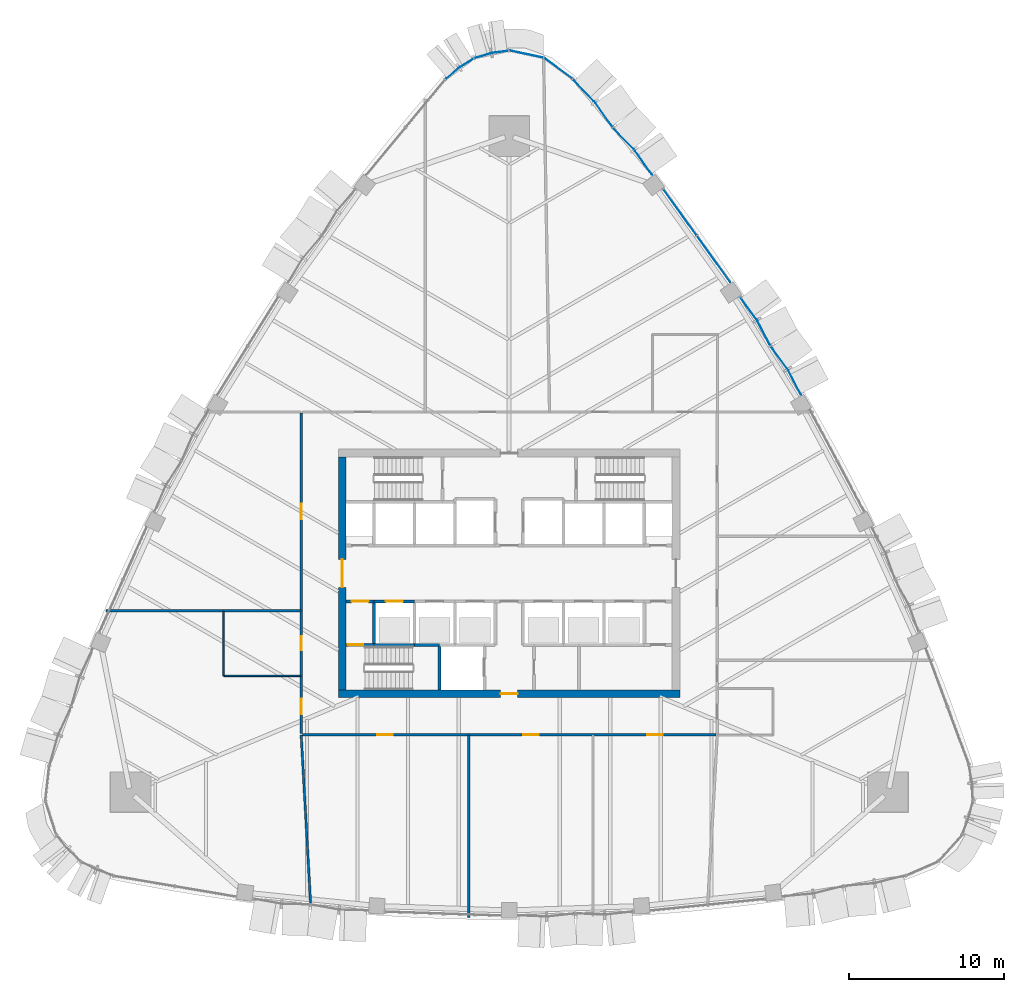
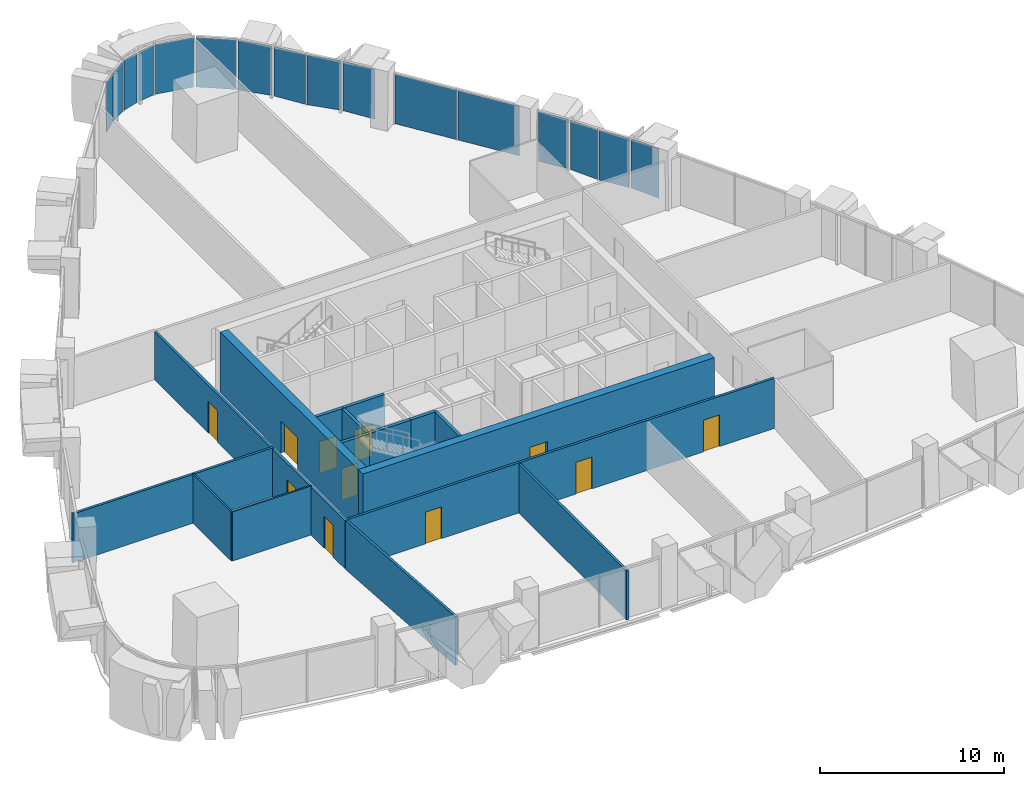
# One storey, part 10 of 17: 16 plates, 16 walls, 11 doors, 11 openings, 7 elements without a shape of their own.
"""IFC4 building model written with IfcOpenShell, lengths in metres."""

from ifc_helpers import new_model, si_unit, direction, frame, frame_2d, origin, origin_2d, place, context, subcontext, project, spatial, polyline, rectangle, outline, extrude, material, layer, layer_set, type_object, element, fill, aggregate, save


model = new_model("IFC4")

# Units and contexts
model_context = context("Model", 3, precision=1e-05, world=origin(), true_north=direction((0.0, 1.0)))
body_context = subcontext(model_context, "Body", "Model", "MODEL_VIEW")
ifc_project = project(units=[si_unit("LENGTHUNIT", "METRE"), si_unit("AREAUNIT", "SQUARE_METRE"), si_unit("VOLUMEUNIT", "CUBIC_METRE"), si_unit("PLANEANGLEUNIT", "RADIAN"), si_unit("MASSUNIT", "GRAM", prefix="KILO")], contexts=[model_context])

# Site, building, storey
site_placement = place(None, origin())
site = spatial("IfcSite", under=ifc_project, at=site_placement, CompositionType="ELEMENT")
building_placement = place(site_placement, origin())
building = spatial("IfcBuilding", under=site, at=building_placement, Name="Sierra Prisma Convention Tower", CompositionType="ELEMENT")
storey_placement = place(building_placement, frame((0.0, 0.0, 149.800048828125)))
storey = spatial("IfcBuildingStorey", under=building, at=storey_placement, Name="L32", CompositionType="ELEMENT", Elevation=149.800048828125)

# Curtain wall, plates
ifc_material_1 = material(Name="Aluminium and glass curtain wall", Category="aluminium")
ifc_layer_1 = layer(ifc_material_1, 0.179931640625)
ifc_layer_set_1 = layer_set([ifc_layer_1], Name="CW-1 Plain shaft curtain wall")
curtain_wall_type_1 = type_object("IfcCurtainWallType", Name="CW-1 Plain shaft curtain wall", PredefinedType="NOTDEFINED", material=ifc_layer_set_1)
curtain_wall_1_placement = place(storey_placement, origin())
curtain_wall_1 = element("IfcCurtainWall", 1, at=curtain_wall_1_placement, inside=storey, type_object=curtain_wall_type_1, Name="CW-1 NE5 L32", PredefinedType="NOTDEFINED")
ifc_material_2 = material(Name="Tinted glass bronze-grey IGU", Category="glass")
ifc_layer_2 = layer(ifc_material_2, 0.028076171875)
ifc_layer_set_2 = layer_set([ifc_layer_2], Name="CW-1 glass panel")
plate_type_1 = type_object("IfcPlateType", Name="CW-1 glass panel", PredefinedType="CURTAIN_PANEL", material=ifc_layer_set_2)
plate_1_placement = place(storey_placement, frame((13.176025390625, 20.24365234375, 0.0), z_axis=(0.0, 0.0, 1.0), x_axis=(-0.584583575566, 0.811333496891, 0.0)))
plate_1 = element("IfcPlate", 2, at=plate_1_placement, type_object=plate_type_1, Name="CW-1 panel NE5.1", PredefinedType="CURTAIN_PANEL", context=body_context, shape_type="SweptSolid", body=[
    extrude(rectangle(XDim=3.655029296875, YDim=0.028076171875, at=origin_2d()), origin(), (0.0, 0.0, 1.0), 3.280029296875),
])
plate_2_placement = place(storey_placement, frame((10.99853515625, 23.265869140625, 0.0), z_axis=(0.0, 0.0, 1.0), x_axis=(-0.584583575566, 0.811333496891, 0.0)))
plate_2 = element("IfcPlate", 3, at=plate_2_placement, type_object=plate_type_1, Name="CW-1 panel NE5.2", PredefinedType="CURTAIN_PANEL", context=body_context, shape_type="SweptSolid", body=[
    extrude(rectangle(XDim=3.655029296875, YDim=0.028076171875, at=origin_2d()), origin(), (0.0, 0.0, 1.0), 3.280029296875),
])
aggregate(curtain_wall_1, [plate_1, plate_2])

# Curtain wall, plate
curtain_wall_2_placement = place(storey_placement, origin())
curtain_wall_2 = element("IfcCurtainWall", 4, at=curtain_wall_2_placement, inside=storey, type_object=curtain_wall_type_1, Name="CW-1 N1 L32", PredefinedType="NOTDEFINED")
plate_3_placement = place(storey_placement, frame((3.182373046875, 32.52490234375, 0.0), z_axis=(0.0, 0.0, 1.0), x_axis=(-0.805518562555, 0.592570540425, 0.0)))
plate_3 = element("IfcPlate", 5, at=plate_3_placement, type_object=plate_type_1, Name="CW-1 panel N1.1", PredefinedType="CURTAIN_PANEL", context=body_context, shape_type="SweptSolid", body=[
    extrude(rectangle(XDim=2.165283203125, YDim=0.028076171875, at=origin_2d()), origin(), (0.0, 0.0, 1.0), 3.280029296875),
])
aggregate(curtain_wall_2, [plate_3])

curtain_wall_3_placement = place(storey_placement, origin())
curtain_wall_3 = element("IfcCurtainWall", 6, at=curtain_wall_3_placement, inside=storey, type_object=curtain_wall_type_1, Name="CW-1 N2 L32", PredefinedType="NOTDEFINED")
plate_4_placement = place(storey_placement, frame((1.126953125, 33.44970703125, 0.0), z_axis=(0.0, 0.0, 1.0), x_axis=(-0.977734876009, 0.209844018823, 0.0)))
plate_4 = element("IfcPlate", 7, at=plate_4_placement, type_object=plate_type_1, Name="CW-1 panel N2.1", PredefinedType="CURTAIN_PANEL", context=body_context, shape_type="SweptSolid", body=[
    extrude(rectangle(XDim=2.165283203125, YDim=0.028076171875, at=origin_2d()), origin(), (0.0, 0.0, 1.0), 3.280029296875),
])
aggregate(curtain_wall_3, [plate_4])

# Curtain wall, plates
ifc_material_3 = material(Name="Aluminium and glass curtain wall", Category="aluminium")
ifc_layer_3 = layer(ifc_material_3, 0.179931640625)
ifc_layer_set_3 = layer_set([ifc_layer_3], Name="CW-2 Faceted crystal curtain wall")
curtain_wall_type_2 = type_object("IfcCurtainWallType", Name="CW-2 Faceted crystal curtain wall", PredefinedType="NOTDEFINED", material=ifc_layer_set_3)
curtain_wall_4_placement = place(storey_placement, origin())
curtain_wall_4 = element("IfcCurtainWall", 8, at=curtain_wall_4_placement, inside=storey, type_object=curtain_wall_type_2, Name="CW-2 NE4 L32", PredefinedType="NOTDEFINED")
ifc_material_4 = material(Name="Tinted glass bronze-grey IGU", Category="glass")
ifc_layer_4 = layer(ifc_material_4, 0.028076171875)
ifc_layer_set_4 = layer_set([ifc_layer_4], Name="CW-2 crystal pane")
plate_type_2 = type_object("IfcPlateType", Name="CW-2 crystal pane", PredefinedType="CURTAIN_PANEL", material=ifc_layer_set_4)
plate_5_placement = place(storey_placement, frame((18.804443359375, 11.514404296875, 0.0), z_axis=(0.887590115263, 0.460634114333, 0.0), x_axis=(-0.460634114333, 0.887590115263, 0.0)))
plate_5 = element("IfcPlate", 9, at=plate_5_placement, type_object=plate_type_2, Name="CW-2 pane NE4.1.1", PredefinedType="CURTAIN_PANEL", context=body_context, shape_type="SweptSolid", body=[
    extrude(outline(polyline([(0.0, 0.0), (1.7760630594197555, 0.0), (1.7760630594197555, 3.280029296875), (0.0, 3.280029296875), (0.0, 0.0)])), origin(), (0.0, 0.0, -1.0), 0.028076171875),
])
plate_6_placement = place(storey_placement, frame((16.863525390625, 14.629638671875, 0.0), z_axis=(0.804644451332, 0.593756942646, 0.0), x_axis=(0.593756942646, -0.804644451332, 0.0)))
plate_6 = element("IfcPlate", 10, at=plate_6_placement, type_object=plate_type_2, Name="CW-2 pane NE4.1.2", PredefinedType="CURTAIN_PANEL", context=body_context, shape_type="SweptSolid", body=[
    extrude(outline(polyline([(0.0, 0.0), (1.775883840072109, 0.0), (1.775883840072109, -3.280029296875), (0.0, -3.280029296875), (0.0, 0.0)])), origin(), (0.0, 0.0, -1.0), 0.028076171875),
])
plate_7_placement = place(storey_placement, frame((16.826416015625, 14.689208984375, 0.0), z_axis=(0.887617153404, 0.460582011137, 0.0), x_axis=(-0.460582011137, 0.887617153404, 0.0)))
plate_7 = element("IfcPlate", 11, at=plate_7_placement, type_object=plate_type_2, Name="CW-2 pane NE4.2.1", PredefinedType="CURTAIN_PANEL", context=body_context, shape_type="SweptSolid", body=[
    extrude(outline(polyline([(0.0, 0.0), (1.7757339061731172, 0.0), (1.7757339061731172, 3.280029296875), (0.0, 3.280029296875), (0.0, 0.0)])), origin(), (0.0, 0.0, -1.0), 0.028076171875),
])
plate_8_placement = place(storey_placement, frame((14.885498046875, 17.80419921875, 0.0), z_axis=(0.804595976651, 0.593822628701, 0.0), x_axis=(0.593822628701, -0.804595976651, 0.0)))
plate_8 = element("IfcPlate", 12, at=plate_8_placement, type_object=plate_type_2, Name="CW-2 pane NE4.2.2", PredefinedType="CURTAIN_PANEL", context=body_context, shape_type="SweptSolid", body=[
    extrude(outline(polyline([(0.0, 0.0), (1.7756873995898501, 0.0), (1.7756873995898501, -3.280029296875), (0.0, -3.280029296875), (0.0, 0.0)])), origin(), (0.0, 0.0, -1.0), 0.028076171875),
])
aggregate(curtain_wall_4, [plate_5, plate_6, plate_7, plate_8])

curtain_wall_5_placement = place(storey_placement, origin())
curtain_wall_5 = element("IfcCurtainWall", 13, at=curtain_wall_5_placement, inside=storey, type_object=curtain_wall_type_2, Name="CW-2 NE6 L32", PredefinedType="NOTDEFINED")
plate_9_placement = place(storey_placement, frame((9.208251953125, 25.68505859375, 0.0), z_axis=(0.817965059935, 0.575267903437, 0.0), x_axis=(-0.575267903437, 0.817965059935, 0.0)))
plate_9 = element("IfcPlate", 14, at=plate_9_placement, type_object=plate_type_2, Name="CW-2 pane NE6.1.1", PredefinedType="CURTAIN_PANEL", context=body_context, shape_type="SweptSolid", body=[
    extrude(outline(polyline([(0.0, 0.0), (1.9042588293725504, 0.0), (1.9042588293725504, 3.280029296875), (0.0, 3.280029296875), (0.0, 0.0)])), origin(), (0.0, 0.0, -1.0), 0.028076171875),
])
plate_10_placement = place(storey_placement, frame((6.704345703125, 28.70947265625, 0.0), z_axis=(0.71785767507, 0.6961898867, 0.0), x_axis=(0.6961898867, -0.71785767507, 0.0)))
plate_10 = element("IfcPlate", 15, at=plate_10_placement, type_object=plate_type_2, Name="CW-2 pane NE6.1.2", PredefinedType="CURTAIN_PANEL", context=body_context, shape_type="SweptSolid", body=[
    extrude(outline(polyline([(0.0, 0.0), (1.9041982928459222, 0.0), (1.9041982928459222, -3.280029296875), (0.0, -3.280029296875), (0.0, 0.0)])), origin(), (0.0, 0.0, -1.0), 0.028076171875),
])
plate_11_placement = place(storey_placement, frame((6.65966796875, 28.763427734375, 0.0), z_axis=(0.817904731882, 0.575353673462, 0.0), x_axis=(-0.575353673462, 0.817904731882, 0.0)))
plate_11 = element("IfcPlate", 16, at=plate_11_placement, type_object=plate_type_2, Name="CW-2 pane NE6.2.1", PredefinedType="CURTAIN_PANEL", context=body_context, shape_type="SweptSolid", body=[
    extrude(outline(polyline([(0.0, 0.0), (1.904399286108398, 0.0), (1.904399286108398, 3.280029296875), (0.0, 3.280029296875), (0.0, 0.0)])), origin(), (0.0, 0.0, -1.0), 0.028076171875),
])
plate_12_placement = place(storey_placement, frame((4.155517578125, 31.787841796875, 0.0), z_axis=(0.717793601964, 0.696255947895, 0.0), x_axis=(0.696255947895, -0.717793601964, 0.0)))
plate_12 = element("IfcPlate", 17, at=plate_12_placement, type_object=plate_type_2, Name="CW-2 pane NE6.2.2", PredefinedType="CURTAIN_PANEL", context=body_context, shape_type="SweptSolid", body=[
    extrude(outline(polyline([(0.0, 0.0), (1.904368269144451, 0.0), (1.904368269144451, -3.280029296875001), (0.0, -3.280029296875001), (0.0, 0.0)])), origin(), (0.0, 0.0, -1.0), 0.028076171875),
])
aggregate(curtain_wall_5, [plate_9, plate_10, plate_11, plate_12])

curtain_wall_6_placement = place(storey_placement, origin())
curtain_wall_6 = element("IfcCurtainWall", 18, at=curtain_wall_6_placement, inside=storey, type_object=curtain_wall_type_2, Name="CW-2 N3 L32", PredefinedType="NOTDEFINED")
plate_13_placement = place(storey_placement, frame((-0.068359375, 33.677001953125, 0.0), z_axis=(-0.132476981778, 0.991186082075, 0.0), x_axis=(-0.991186082075, -0.132476981778, 0.0)))
plate_13 = element("IfcPlate", 19, at=plate_13_placement, type_object=plate_type_2, Name="CW-2 pane N3.1.1", PredefinedType="CURTAIN_PANEL", context=body_context, shape_type="SweptSolid", body=[
    extrude(outline(polyline([(0.0, 0.0), (1.0209615620374695, 0.0), (1.0209615620374695, 3.280029296875), (0.0, 3.280029296875), (0.0, 0.0)])), origin(), (0.0, 0.0, -1.0), 0.028076171875),
])
plate_14_placement = place(storey_placement, frame((-2.185546875, 33.22265625, 0.0), z_axis=(-0.28572422677, 0.958311883594, 0.0), x_axis=(0.958311883594, 0.28572422677, 0.0)))
plate_14 = element("IfcPlate", 20, at=plate_14_placement, type_object=plate_type_2, Name="CW-2 pane N3.1.2", PredefinedType="CURTAIN_PANEL", context=body_context, shape_type="SweptSolid", body=[
    extrude(outline(polyline([(0.0, 0.0), (1.0210826368245214, 0.0), (1.0210826368245214, -3.280029296875), (0.0, -3.280029296875), (0.0, 0.0)])), origin(), (0.0, 0.0, -1.0), 0.028076171875),
])
aggregate(curtain_wall_6, [plate_13, plate_14])

curtain_wall_7_placement = place(storey_placement, origin())
curtain_wall_7 = element("IfcCurtainWall", 21, at=curtain_wall_7_placement, inside=storey, type_object=curtain_wall_type_2, Name="CW-2 N4 L32", PredefinedType="NOTDEFINED")
plate_15_placement = place(storey_placement, frame((-2.310302734375, 33.166259765625, 0.0), z_axis=(-0.527481899673, 0.849566269056, 0.0), x_axis=(-0.849566269056, -0.527481899673, 0.0)))
plate_15 = element("IfcPlate", 22, at=plate_15_placement, type_object=plate_type_2, Name="CW-2 pane N4.1.1", PredefinedType="CURTAIN_PANEL", context=body_context, shape_type="SweptSolid", body=[
    extrude(outline(polyline([(0.0, 0.0), (1.0210288146078699, 0.0), (1.0210288146078699, 3.280029296875), (0.0, 3.280029296875), (0.0, 0.0)])), origin(), (0.0, 0.0, -1.0), 0.028076171875),
])
plate_16_placement = place(storey_placement, frame((-4.054443359375, 31.88330078125, 0.0), z_axis=(-0.653955969642, 0.756532609852, 0.0), x_axis=(0.756532609852, 0.653955969642, 0.0)))
plate_16 = element("IfcPlate", 23, at=plate_16_placement, type_object=plate_type_2, Name="CW-2 pane N4.1.2", PredefinedType="CURTAIN_PANEL", context=body_context, shape_type="SweptSolid", body=[
    extrude(outline(polyline([(0.0, 0.0), (1.0210543834333092, 0.0), (1.0210543834333092, -3.280029296875), (0.0, -3.280029296875), (0.0, 0.0)])), origin(), (0.0, 0.0, -1.0), 0.028076171875),
])
aggregate(curtain_wall_7, [plate_15, plate_16])

# Walls
ifc_material_5 = material(Name="Gypsum board partition", Category="gypsum")
ifc_layer_5 = layer(ifc_material_5, 0.10009765625)
ifc_layer_set_5 = layer_set([ifc_layer_5], Name="Bathroom partition 100")
wall_type_1 = type_object("IfcWallType", Name="Bathroom partition 100", PredefinedType="PARTITIONING", material=ifc_layer_set_5)
wall_1_placement = place(storey_placement, frame((-13.429931640625, -6.60009765625, 0.0), z_axis=(0.0, 0.0, 1.0), x_axis=(-1.0, 0.0, 0.0)))
element("IfcWall", 24, at=wall_1_placement, inside=storey, type_object=wall_type_1, Name="Partition L32 bath 1", PredefinedType="PARTITIONING", context=body_context, shape_type="SweptSolid", body=[
    extrude(rectangle(XDim=4.969970703125, YDim=0.10009765625, at=frame_2d((2.48486328125, 0.0))), origin(), (0.0, 0.0, 1.0), 3.2470703125),
])
wall_2_placement = place(storey_placement, frame((-18.39990234375, -6.60009765625, 0.0), z_axis=(0.0, 0.0, 1.0), x_axis=(0.0, 1.0, 0.0)))
element("IfcWall", 25, at=wall_2_placement, inside=storey, type_object=wall_type_1, Name="Partition L32 bath 2", PredefinedType="PARTITIONING", context=body_context, shape_type="SweptSolid", body=[
    extrude(rectangle(XDim=4.170166015625, YDim=0.10009765625, at=frame_2d((2.0849609375, 0.0))), origin(), (0.0, 0.0, 1.0), 3.2470703125),
])

# Wall, opening, door
ifc_material_6 = material(Name="Concrete C30/37", Category="concrete")
ifc_layer_6 = layer(ifc_material_6, 0.199951171875)
ifc_layer_set_6 = layer_set([ifc_layer_6], Name="Core wall RC 200 C30/37")
wall_type_2 = type_object("IfcWallType", Name="Core wall RC 200 C30/37", PredefinedType="SOLIDWALL", material=ifc_layer_set_6)
wall_3_placement = place(storey_placement, frame((-10.5, -4.60009765625, 0.0), z_axis=(0.0, 0.0, 1.0), x_axis=(1.0, 0.0, 0.0)))
wall_3 = element("IfcWall", 26, at=wall_3_placement, inside=storey, type_object=wall_type_2, Name="Core wall L32 1", PredefinedType="SOLIDWALL", context=body_context, shape_type="SweptSolid", body=[
    extrude(rectangle(XDim=1.800048828125, YDim=0.199951171875, at=frame_2d((0.89990234375, 0.0))), origin(), (0.0, 0.0, 1.0), 3.849853515625),
])
opening_1_placement = place(wall_3_placement, frame((0.10009765625, 0.0, 0.0)))
opening_1 = element("IfcOpeningElement", 27, at=opening_1_placement, cuts=wall_3, Name="Opening L32-D015", PredefinedType="OPENING", context=body_context, shape_type="SweptSolid", body=[
    extrude(rectangle(XDim=1.0, YDim=2.10009765625, at=frame_2d((0.5, 1.050048828125))), frame((0.0, 0.10009765625, 0.0), z_axis=(0.0, -1.0, 0.0), x_axis=(1.0, 0.0, 0.0)), (0.0, 0.0, 1.0), 0.199951171875),
])
ifc_material_7 = material(Name="Steel fire door leaf", Category="steel")
door_type_1 = type_object("IfcDoorType", Name="Door 1000x2100 FD90S", OperationType="SINGLE_SWING_LEFT", PredefinedType="DOOR", material=ifc_material_7)
door_1_placement = place(opening_1_placement, origin())
door_1 = element("IfcDoor", 28, at=door_1_placement, inside=storey, type_object=door_type_1, Name="Door L32 29", OperationType="SINGLE_SWING_LEFT", OverallHeight=2.10009765625, OverallWidth=1.0, PredefinedType="DOOR", context=body_context, shape_type="SweptSolid", body=[
    extrude(rectangle(XDim=1.0, YDim=2.10009765625, at=frame_2d((0.5, 1.050048828125))), frame((0.0, 0.02490234375, 0.0), z_axis=(0.0, -1.0, 0.0), x_axis=(1.0, 0.0, 0.0)), (0.0, 0.0, 1.0), 0.050048828125),
])
fill(opening_1, door_1)

wall_4_placement = place(storey_placement, frame((-10.5, -1.800048828125, 0.0), z_axis=(0.0, 0.0, 1.0), x_axis=(1.0, 0.0, 0.0)))
wall_4 = element("IfcWall", 29, at=wall_4_placement, inside=storey, type_object=wall_type_2, Name="Core wall L32 2", PredefinedType="SOLIDWALL", context=body_context, shape_type="SweptSolid", body=[
    extrude(rectangle(XDim=1.800048828125, YDim=0.199951171875, at=frame_2d((0.89990234375, 0.0))), origin(), (0.0, 0.0, 1.0), 3.849853515625),
])
opening_2_placement = place(wall_4_placement, frame((0.35009765625, 0.0, 0.0)))
opening_2 = element("IfcOpeningElement", 30, at=opening_2_placement, cuts=wall_4, Name="Opening L32-D010", PredefinedType="OPENING", context=body_context, shape_type="SweptSolid", body=[
    extrude(rectangle(XDim=1.10009765625, YDim=2.10009765625, at=frame_2d((0.550048828125, 1.050048828125))), frame((0.0, 0.10009765625, 0.0), z_axis=(0.0, -1.0, 0.0), x_axis=(1.0, 0.0, 0.0)), (0.0, 0.0, 1.0), 0.199951171875),
])
ifc_material_8 = material(Name="Steel fire door leaf", Category="steel")
door_type_2 = type_object("IfcDoorType", Name="Door 1100x2100 FD90S", OperationType="SINGLE_SWING_LEFT", PredefinedType="DOOR", material=ifc_material_8)
door_2_placement = place(opening_2_placement, origin())
door_2 = element("IfcDoor", 31, at=door_2_placement, inside=storey, type_object=door_type_2, Name="Door L32 24", OperationType="SINGLE_SWING_RIGHT", OverallHeight=2.10009765625, OverallWidth=1.10009765625, PredefinedType="DOOR", context=body_context, shape_type="SweptSolid", body=[
    extrude(rectangle(XDim=1.10009765625, YDim=2.10009765625, at=frame_2d((0.550048828125, 1.050048828125))), frame((0.0, 0.02490234375, 0.0), z_axis=(0.0, -1.0, 0.0), x_axis=(1.0, 0.0, 0.0)), (0.0, 0.0, 1.0), 0.050048828125),
])
fill(opening_2, door_2)

# Walls
wall_5_placement = place(storey_placement, frame((-8.699951171875, -4.60009765625, 0.0), z_axis=(0.0, 0.0, 1.0), x_axis=(1.0, 0.0, 0.0)))
element("IfcWall", 32, at=wall_5_placement, inside=storey, type_object=wall_type_2, Name="Core wall L32 5", PredefinedType="SOLIDWALL", context=body_context, shape_type="SweptSolid", body=[
    extrude(rectangle(XDim=2.599853515625, YDim=0.199951171875, at=frame_2d((1.2998046875, 0.0))), origin(), (0.0, 0.0, 1.0), 3.849853515625),
])
wall_6_placement = place(storey_placement, frame((-8.699951171875, -4.60009765625, 0.0), z_axis=(0.0, 0.0, 1.0), x_axis=(0.0, 1.0, 0.0)))
element("IfcWall", 33, at=wall_6_placement, inside=storey, type_object=wall_type_2, Name="Core wall L32 6", PredefinedType="SOLIDWALL", context=body_context, shape_type="SweptSolid", body=[
    extrude(rectangle(XDim=2.800048828125, YDim=0.199951171875, at=frame_2d((1.39990234375, 0.0))), origin(), (0.0, 0.0, 1.0), 3.849853515625),
])

# Wall, opening, door
wall_7_placement = place(storey_placement, frame((-8.699951171875, -1.800048828125, 0.0), z_axis=(0.0, 0.0, 1.0), x_axis=(1.0, 0.0, 0.0)))
wall_7 = element("IfcWall", 34, at=wall_7_placement, inside=storey, type_object=wall_type_2, Name="Core wall L32 7", PredefinedType="SOLIDWALL", context=body_context, shape_type="SweptSolid", body=[
    extrude(rectangle(XDim=2.599853515625, YDim=0.199951171875, at=frame_2d((1.2998046875, 0.0))), origin(), (0.0, 0.0, 1.0), 3.849853515625),
])
opening_3_placement = place(wall_7_placement, frame((0.75, 0.0, 0.0)))
opening_3 = element("IfcOpeningElement", 35, at=opening_3_placement, cuts=wall_7, Name="Opening L32-D001", PredefinedType="OPENING", context=body_context, shape_type="SweptSolid", body=[
    extrude(rectangle(XDim=1.10009765625, YDim=2.10009765625, at=frame_2d((0.550048828125, 1.050048828125))), frame((0.0, 0.10009765625, 0.0), z_axis=(0.0, -1.0, 0.0), x_axis=(1.0, 0.0, 0.0)), (0.0, 0.0, 1.0), 0.199951171875),
])
ifc_material_9 = material(Name="Steel fire door leaf", Category="steel")
door_type_3 = type_object("IfcDoorType", Name="Door 1100x2100 EI 90 sliding lift landing", OperationType="SLIDING_TO_LEFT", PredefinedType="DOOR", material=ifc_material_9)
door_3_placement = place(opening_3_placement, origin())
door_3 = element("IfcDoor", 36, at=door_3_placement, inside=storey, type_object=door_type_3, Name="Door L32 15", OperationType="SLIDING_TO_RIGHT", OverallHeight=2.10009765625, OverallWidth=1.10009765625, PredefinedType="DOOR", context=body_context, shape_type="SweptSolid", body=[
    extrude(rectangle(XDim=1.10009765625, YDim=2.10009765625, at=frame_2d((0.550048828125, 1.050048828125))), frame((0.0, 0.02490234375, 0.0), z_axis=(0.0, -1.0, 0.0), x_axis=(1.0, 0.0, 0.0)), (0.0, 0.0, 1.0), 0.050048828125),
])
fill(opening_3, door_3)

# Walls
wall_8_placement = place(storey_placement, frame((-6.10009765625, -4.60009765625, 0.0), z_axis=(0.0, 0.0, 1.0), x_axis=(1.0, 0.0, 0.0)))
element("IfcWall", 37, at=wall_8_placement, inside=storey, type_object=wall_type_2, Name="Core wall L32 11", PredefinedType="SOLIDWALL", context=body_context, shape_type="SweptSolid", body=[
    extrude(rectangle(XDim=1.60009765625, YDim=0.199951171875, at=frame_2d((0.800048828125, 0.0))), origin(), (0.0, 0.0, 1.0), 3.849853515625),
])
wall_9_placement = place(storey_placement, frame((-4.5, -4.60009765625, 0.0), z_axis=(0.0, 0.0, 1.0), x_axis=(0.0, -1.0, 0.0)))
element("IfcWall", 38, at=wall_9_placement, inside=storey, type_object=wall_type_2, Name="Core wall L32 17", PredefinedType="SOLIDWALL", context=body_context, shape_type="SweptSolid", body=[
    extrude(rectangle(XDim=2.89990234375, YDim=0.199951171875, at=frame_2d((1.449951171875, 0.0))), origin(), (0.0, 0.0, 1.0), 3.849853515625),
])

# Wall, opening, door
ifc_material_10 = material(Name="Concrete C60/75", Category="concrete")
ifc_layer_7 = layer(ifc_material_10, 0.5)
ifc_layer_set_7 = layer_set([ifc_layer_7], Name="Core wall RC 500 C60/75")
wall_type_3 = type_object("IfcWallType", Name="Core wall RC 500 C60/75", PredefinedType="SHEAR", material=ifc_layer_set_7)
wall_10_placement = place(storey_placement, frame((-11.0, -7.75, 0.0), z_axis=(0.0, 0.0, 1.0), x_axis=(1.0, 0.0, 0.0)))
wall_10 = element("IfcWall", 39, at=wall_10_placement, inside=storey, type_object=wall_type_3, Name="Core wall S L32", PredefinedType="SHEAR", context=body_context, shape_type="SweptSolid", body=[
    extrude(rectangle(XDim=22.0, YDim=0.5, at=frame_2d((11.0, 0.0))), origin(), (0.0, 0.0, 1.0), 4.0),
])
opening_4_placement = place(wall_10_placement, frame((10.449951171875, 0.0, 0.0)))
opening_4 = element("IfcOpeningElement", 40, at=opening_4_placement, cuts=wall_10, Name="Opening L32-D037", PredefinedType="OPENING", context=body_context, shape_type="SweptSolid", body=[
    extrude(rectangle(XDim=1.10009765625, YDim=2.10009765625, at=frame_2d((0.550048828125, 1.050048828125))), frame((0.0, 0.25, 0.0), z_axis=(0.0, -1.0, 0.0), x_axis=(1.0, 0.0, 0.0)), (0.0, 0.0, 1.0), 0.5),
])
ifc_material_11 = material(Name="Steel fire door leaf", Category="steel")
door_type_4 = type_object("IfcDoorType", Name="Door 1100x2100 FD30S", OperationType="SINGLE_SWING_LEFT", PredefinedType="DOOR", material=ifc_material_11)
door_4_placement = place(opening_4_placement, origin())
door_4 = element("IfcDoor", 41, at=door_4_placement, inside=storey, type_object=door_type_4, Name="Door L32 38", OperationType="SINGLE_SWING_LEFT", OverallHeight=2.10009765625, OverallWidth=1.10009765625, PredefinedType="DOOR", context=body_context, shape_type="SweptSolid", body=[
    extrude(rectangle(XDim=1.10009765625, YDim=2.10009765625, at=frame_2d((0.550048828125, 1.050048828125))), frame((0.0, 0.02490234375, 0.0), z_axis=(0.0, -1.0, 0.0), x_axis=(1.0, 0.0, 0.0)), (0.0, 0.0, 1.0), 0.050048828125),
])
fill(opening_4, door_4)

wall_11_placement = place(storey_placement, frame((-10.75, -7.5, 0.0), z_axis=(0.0, 0.0, 1.0), x_axis=(0.0, 1.0, 0.0)))
wall_11 = element("IfcWall", 42, at=wall_11_placement, inside=storey, type_object=wall_type_3, Name="Core wall W L32", PredefinedType="SHEAR", context=body_context, shape_type="SweptSolid", body=[
    extrude(rectangle(XDim=15.0, YDim=0.5, at=frame_2d((7.5, 0.0))), origin(), (0.0, 0.0, 1.0), 4.0),
])
opening_5_placement = place(wall_11_placement, frame((6.60009765625, 0.0, 0.0)))
opening_5 = element("IfcOpeningElement", 43, at=opening_5_placement, cuts=wall_11, Name="Opening L32-D038", PredefinedType="OPENING", context=body_context, shape_type="SweptSolid", body=[
    extrude(rectangle(XDim=1.800048828125, YDim=2.10009765625, at=frame_2d((0.89990234375, 1.050048828125))), frame((0.0, 0.25, 0.0), z_axis=(0.0, -1.0, 0.0), x_axis=(1.0, 0.0, 0.0)), (0.0, 0.0, 1.0), 0.5),
])
ifc_material_12 = material(Name="Steel fire door leaf", Category="steel")
door_type_5 = type_object("IfcDoorType", Name="Door 1800x2100 FD60S", OperationType="DOUBLE_DOOR_SINGLE_SWING", PredefinedType="DOOR", material=ifc_material_12)
door_5_placement = place(opening_5_placement, origin())
door_5 = element("IfcDoor", 44, at=door_5_placement, inside=storey, type_object=door_type_5, Name="Door L32 35", OperationType="DOUBLE_DOOR_SINGLE_SWING", OverallHeight=2.10009765625, OverallWidth=1.800048828125, PredefinedType="DOOR", context=body_context, shape_type="SweptSolid", body=[
    extrude(rectangle(XDim=1.800048828125, YDim=2.10009765625, at=frame_2d((0.89990234375, 1.050048828125))), frame((0.0, 0.02490234375, 0.0), z_axis=(0.0, -1.0, 0.0), x_axis=(1.0, 0.0, 0.0)), (0.0, 0.0, 1.0), 0.050048828125),
])
fill(opening_5, door_5)

# Wall, openings, doors
ifc_material_13 = material(Name="Gypsum board partition", Category="gypsum")
ifc_layer_8 = layer(ifc_material_13, 0.14990234375)
ifc_layer_set_8 = layer_set([ifc_layer_8], Name="Corridor wall 150 gypsum EI 60")
wall_type_4 = type_object("IfcWallType", Name="Corridor wall 150 gypsum EI 60", PredefinedType="PARTITIONING", material=ifc_layer_set_8)
wall_12_placement = place(storey_placement, frame((-13.39990234375, 10.320068359375, 0.0), z_axis=(0.0, 0.0, 1.0), x_axis=(0.0, -1.0, 0.0)))
wall_12 = element("IfcWall", 45, at=wall_12_placement, inside=storey, type_object=wall_type_4, Name="Partition L32 corr 1", PredefinedType="PARTITIONING", context=body_context, shape_type="SweptSolid", body=[
    extrude(rectangle(XDim=20.64013671875, YDim=0.14990234375, at=frame_2d((10.320068359375, 0.0))), origin(), (0.0, 0.0, 1.0), 3.166015625),
])
opening_6_placement = place(wall_12_placement, frame((5.820068359375, 0.0, 0.0)))
opening_6 = element("IfcOpeningElement", 46, at=opening_6_placement, cuts=wall_12, Name="Opening L32-D026", PredefinedType="OPENING", context=body_context, shape_type="SweptSolid", body=[
    extrude(rectangle(XDim=1.0, YDim=2.10009765625, at=frame_2d((0.5, 1.050048828125))), frame((0.0, 0.074951171875, 0.0), z_axis=(0.0, -1.0, 0.0), x_axis=(1.0, 0.0, 0.0)), (0.0, 0.0, 1.0), 0.14990234375),
])
opening_7_placement = place(wall_12_placement, frame((14.3701171875, 0.0, 0.0)))
opening_7 = element("IfcOpeningElement", 47, at=opening_7_placement, cuts=wall_12, Name="Opening L32-D027", PredefinedType="OPENING", context=body_context, shape_type="SweptSolid", body=[
    extrude(rectangle(XDim=0.89990234375, YDim=2.10009765625, at=frame_2d((0.449951171875, 1.050048828125))), frame((0.0, 0.074951171875, 0.0), z_axis=(0.0, -1.0, 0.0), x_axis=(1.0, 0.0, 0.0)), (0.0, 0.0, 1.0), 0.14990234375),
])
opening_8_placement = place(wall_12_placement, frame((18.3798828125, 0.0, 0.0)))
opening_8 = element("IfcOpeningElement", 48, at=opening_8_placement, cuts=wall_12, Name="Opening L32-D028", PredefinedType="OPENING", context=body_context, shape_type="SweptSolid", body=[
    extrude(rectangle(XDim=1.0, YDim=2.10009765625, at=frame_2d((0.5, 1.050048828125))), frame((0.0, 0.074951171875, 0.0), z_axis=(0.0, -1.0, 0.0), x_axis=(1.0, 0.0, 0.0)), (0.0, 0.0, 1.0), 0.14990234375),
])
ifc_material_14 = material(Name="Steel fire door leaf", Category="steel")
door_type_6 = type_object("IfcDoorType", Name="Door 1000x2100 FD30S", OperationType="SINGLE_SWING_LEFT", PredefinedType="DOOR", material=ifc_material_14)
door_6_placement = place(opening_6_placement, origin())
door_6 = element("IfcDoor", 49, at=door_6_placement, inside=storey, type_object=door_type_6, Name="Door L32 6", OperationType="SINGLE_SWING_RIGHT", OverallHeight=2.10009765625, OverallWidth=1.0, PredefinedType="DOOR", context=body_context, shape_type="SweptSolid", body=[
    extrude(rectangle(XDim=1.0, YDim=2.10009765625, at=frame_2d((0.5, 1.050048828125))), frame((0.0, 0.02490234375, 0.0), z_axis=(0.0, -1.0, 0.0), x_axis=(1.0, 0.0, 0.0)), (0.0, 0.0, 1.0), 0.050048828125),
])
fill(opening_6, door_6)
door_7_placement = place(opening_8_placement, origin())
door_7 = element("IfcDoor", 50, at=door_7_placement, inside=storey, type_object=door_type_6, Name="Door L32 8", OperationType="SINGLE_SWING_LEFT", OverallHeight=2.10009765625, OverallWidth=1.0, PredefinedType="DOOR", context=body_context, shape_type="SweptSolid", body=[
    extrude(rectangle(XDim=1.0, YDim=2.10009765625, at=frame_2d((0.5, 1.050048828125))), frame((0.0, 0.02490234375, 0.0), z_axis=(0.0, -1.0, 0.0), x_axis=(1.0, 0.0, 0.0)), (0.0, 0.0, 1.0), 0.050048828125),
])
fill(opening_8, door_7)
ifc_material_15 = material(Name="Steel fire door leaf", Category="steel")
door_type_7 = type_object("IfcDoorType", Name="Door 900x2100 FD30S", OperationType="SINGLE_SWING_LEFT", PredefinedType="DOOR", material=ifc_material_15)
door_8_placement = place(opening_7_placement, origin())
door_8 = element("IfcDoor", 51, at=door_8_placement, inside=storey, type_object=door_type_7, Name="Door L32 7", OperationType="SINGLE_SWING_LEFT", OverallHeight=2.10009765625, OverallWidth=0.89990234375, PredefinedType="DOOR", context=body_context, shape_type="SweptSolid", body=[
    extrude(rectangle(XDim=0.89990234375, YDim=2.10009765625, at=frame_2d((0.449951171875, 1.050048828125))), frame((0.0, 0.02490234375, 0.0), z_axis=(0.0, -1.0, 0.0), x_axis=(1.0, 0.0, 0.0)), (0.0, 0.0, 1.0), 0.050048828125),
])
fill(opening_7, door_8)

wall_13_placement = place(storey_placement, frame((-13.320068359375, -10.39990234375, 0.0), z_axis=(0.0, 0.0, 1.0), x_axis=(1.0, 0.0, 0.0)))
wall_13 = element("IfcWall", 52, at=wall_13_placement, inside=storey, type_object=wall_type_4, Name="Partition L32 corr 2", PredefinedType="PARTITIONING", context=body_context, shape_type="SweptSolid", body=[
    extrude(rectangle(XDim=26.64013671875, YDim=0.14990234375, at=frame_2d((13.320068359375, 0.0))), origin(), (0.0, 0.0, 1.0), 3.31689453125),
])
opening_9_placement = place(wall_13_placement, frame((4.820068359375, 0.0, 0.0)))
opening_9 = element("IfcOpeningElement", 53, at=opening_9_placement, cuts=wall_13, Name="Opening L32-D029", PredefinedType="OPENING", context=body_context, shape_type="SweptSolid", body=[
    extrude(rectangle(XDim=1.0, YDim=2.10009765625, at=frame_2d((0.5, 1.050048828125))), frame((0.0, 0.074951171875, 0.0), z_axis=(0.0, -1.0, 0.0), x_axis=(1.0, 0.0, 0.0)), (0.0, 0.0, 1.0), 0.14990234375),
])
opening_10_placement = place(wall_13_placement, frame((14.219970703125, 0.0, 0.0)))
opening_10 = element("IfcOpeningElement", 54, at=opening_10_placement, cuts=wall_13, Name="Opening L32-D030", PredefinedType="OPENING", context=body_context, shape_type="SweptSolid", body=[
    extrude(rectangle(XDim=1.0, YDim=2.10009765625, at=frame_2d((0.5, 1.050048828125))), frame((0.0, 0.074951171875, 0.0), z_axis=(0.0, -1.0, 0.0), x_axis=(1.0, 0.0, 0.0)), (0.0, 0.0, 1.0), 0.14990234375),
])
opening_11_placement = place(wall_13_placement, frame((22.219970703125, 0.0, 0.0)))
opening_11 = element("IfcOpeningElement", 55, at=opening_11_placement, cuts=wall_13, Name="Opening L32-D031", PredefinedType="OPENING", context=body_context, shape_type="SweptSolid", body=[
    extrude(rectangle(XDim=1.0, YDim=2.10009765625, at=frame_2d((0.5, 1.050048828125))), frame((0.0, 0.074951171875, 0.0), z_axis=(0.0, -1.0, 0.0), x_axis=(1.0, 0.0, 0.0)), (0.0, 0.0, 1.0), 0.14990234375),
])
door_9_placement = place(opening_9_placement, origin())
door_9 = element("IfcDoor", 56, at=door_9_placement, inside=storey, type_object=door_type_6, Name="Door L32 9", OperationType="SINGLE_SWING_LEFT", OverallHeight=2.10009765625, OverallWidth=1.0, PredefinedType="DOOR", context=body_context, shape_type="SweptSolid", body=[
    extrude(rectangle(XDim=1.0, YDim=2.10009765625, at=frame_2d((0.5, 1.050048828125))), frame((0.0, 0.02490234375, 0.0), z_axis=(0.0, -1.0, 0.0), x_axis=(1.0, 0.0, 0.0)), (0.0, 0.0, 1.0), 0.050048828125),
])
fill(opening_9, door_9)
door_10_placement = place(opening_10_placement, origin())
door_10 = element("IfcDoor", 57, at=door_10_placement, inside=storey, type_object=door_type_6, Name="Door L32 10", OperationType="SINGLE_SWING_LEFT", OverallHeight=2.10009765625, OverallWidth=1.0, PredefinedType="DOOR", context=body_context, shape_type="SweptSolid", body=[
    extrude(rectangle(XDim=1.0, YDim=2.10009765625, at=frame_2d((0.5, 1.050048828125))), frame((0.0, 0.02490234375, 0.0), z_axis=(0.0, -1.0, 0.0), x_axis=(1.0, 0.0, 0.0)), (0.0, 0.0, 1.0), 0.050048828125),
])
fill(opening_10, door_10)
door_11_placement = place(opening_11_placement, origin())
door_11 = element("IfcDoor", 58, at=door_11_placement, inside=storey, type_object=door_type_6, Name="Door L32 11", OperationType="SINGLE_SWING_LEFT", OverallHeight=2.10009765625, OverallWidth=1.0, PredefinedType="DOOR", context=body_context, shape_type="SweptSolid", body=[
    extrude(rectangle(XDim=1.0, YDim=2.10009765625, at=frame_2d((0.5, 1.050048828125))), frame((0.0, 0.02490234375, 0.0), z_axis=(0.0, -1.0, 0.0), x_axis=(1.0, 0.0, 0.0)), (0.0, 0.0, 1.0), 0.050048828125),
])
fill(opening_11, door_11)

# Walls
ifc_material_16 = material(Name="Gypsum board partition", Category="gypsum")
ifc_layer_9 = layer(ifc_material_16, 0.14990234375)
ifc_layer_set_9 = layer_set([ifc_layer_9], Name="Party wall 150 gypsum")
wall_type_5 = type_object("IfcWallType", Name="Party wall 150 gypsum", PredefinedType="PARTITIONING", material=ifc_layer_set_9)
wall_14_placement = place(storey_placement, frame((-13.39990234375, -2.39990234375, 0.0), z_axis=(0.0, 0.0, 1.0), x_axis=(-1.0, 0.0, 0.0)))
element("IfcWall", 59, at=wall_14_placement, inside=storey, type_object=wall_type_5, Name="Partition L32 party 1", PredefinedType="PARTITIONING", context=body_context, shape_type="SweptSolid", body=[
    extrude(rectangle(XDim=12.57568359375, YDim=0.14990234375, at=frame_2d((6.287841796875, 0.0))), origin(), (0.0, 0.0, 1.0), 3.23388671875),
])
wall_15_placement = place(storey_placement, frame((-13.39990234375, -10.39990234375, 0.0), z_axis=(0.0, 0.0, 1.0), x_axis=(0.055628111687, -0.998451557758, 0.0)))
element("IfcWall", 60, at=wall_15_placement, inside=storey, type_object=wall_type_5, Name="Partition L32 party 3", PredefinedType="PARTITIONING", context=body_context, shape_type="SweptSolid", body=[
    extrude(rectangle(XDim=10.8623046875, YDim=0.14990234375, at=frame_2d((5.43115234375, 0.0))), origin(), (0.0, 0.0, 1.0), 3.23388671875),
])
wall_16_placement = place(storey_placement, frame((-2.60009765625, -10.39990234375, 0.0), z_axis=(0.0, 0.0, 1.0), x_axis=(0.0, -1.0, 0.0)))
element("IfcWall", 61, at=wall_16_placement, inside=storey, type_object=wall_type_5, Name="Partition L32 party 5", PredefinedType="PARTITIONING", context=body_context, shape_type="SweptSolid", body=[
    extrude(rectangle(XDim=11.76171875, YDim=0.14990234375, at=frame_2d((5.880859375, 0.0))), origin(), (0.0, 0.0, 1.0), 3.23388671875),
])

save(model, "model.ifc")
